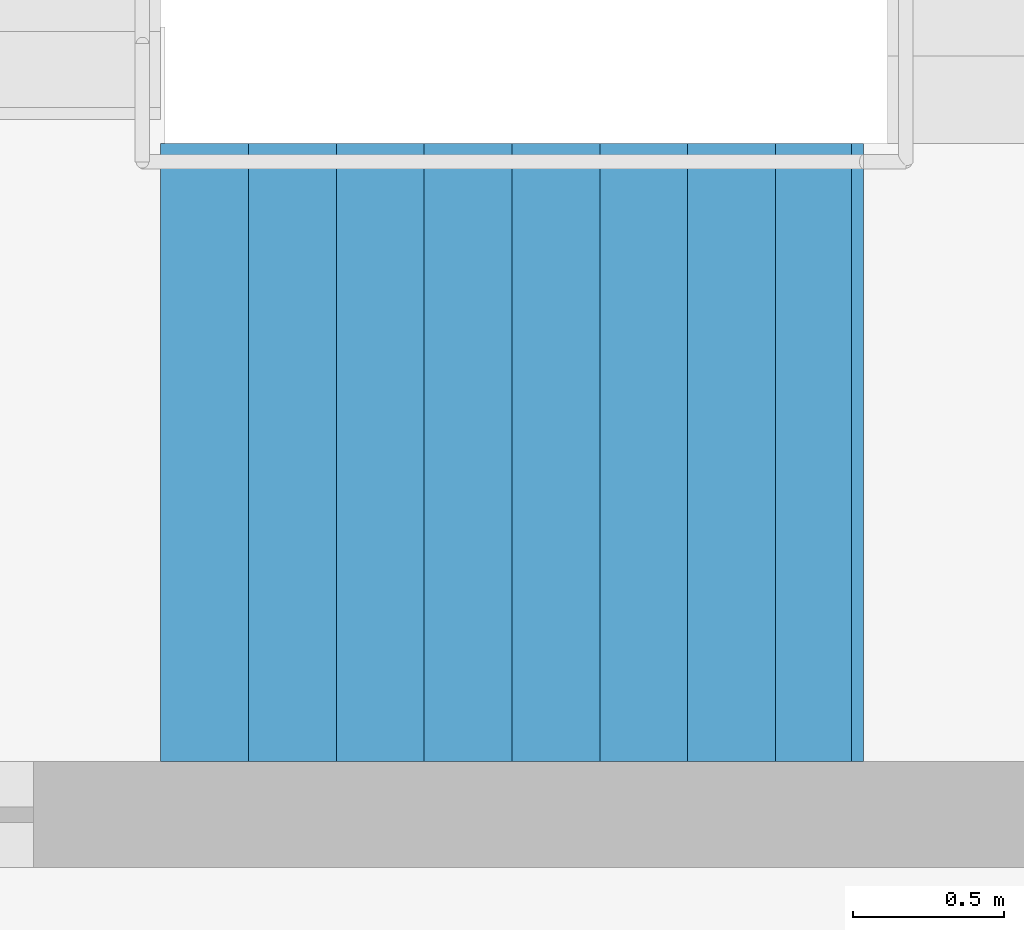
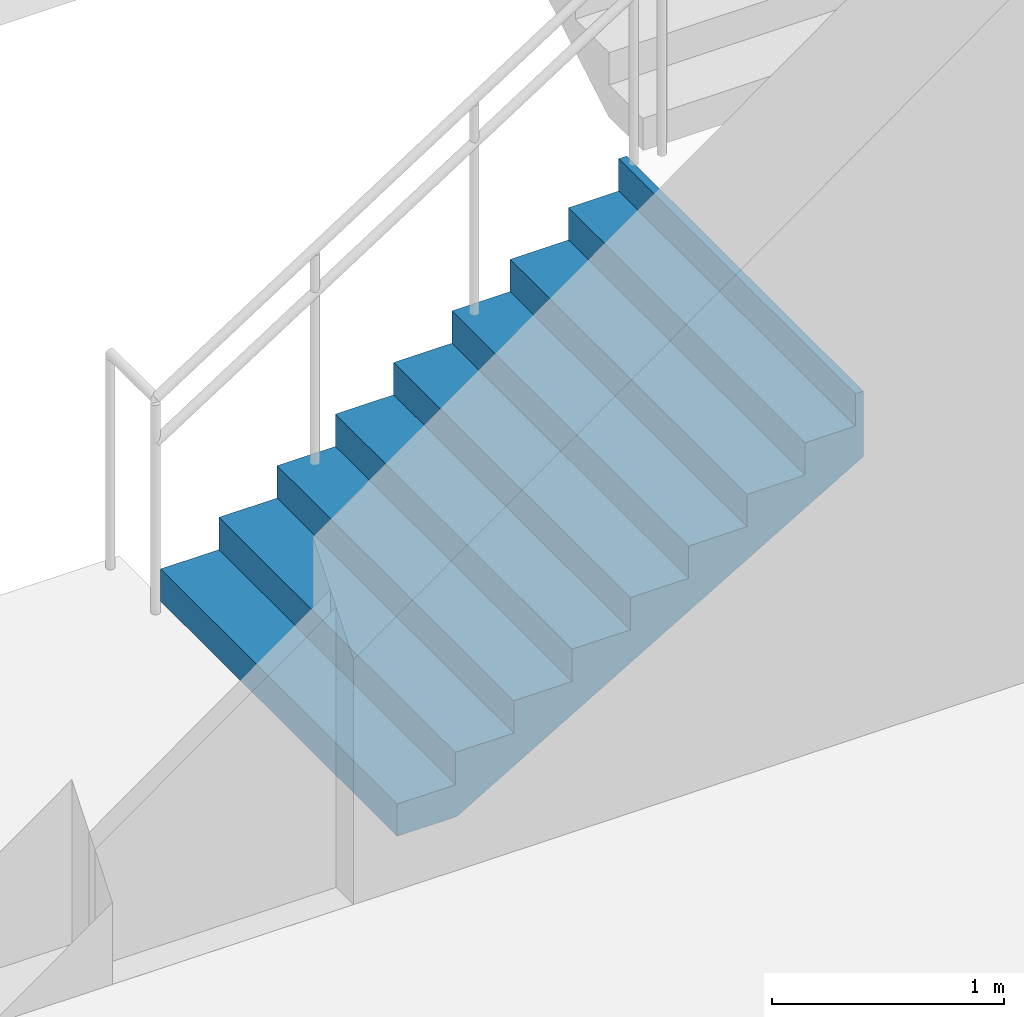
# One storey, part 36 of 46: 1 stair flight, 1 element without a shape of its own.
"""IFC4 building model written with IfcOpenShell, lengths in metres."""

from ifc_helpers import new_model, si_unit, direction, frame, origin, place, context, subcontext, project, spatial, triangles, material, type_object, element, aggregate, save


model = new_model("IFC4")

# Units and contexts
model_context = context("Model", 3, precision=1e-05, world=origin(), true_north=direction((0.0, 1.0)))
body_context = subcontext(model_context, "Body", "Model", "MODEL_VIEW")
ifc_project = project(units=[si_unit("LENGTHUNIT", "METRE"), si_unit("AREAUNIT", "SQUARE_METRE"), si_unit("VOLUMEUNIT", "CUBIC_METRE"), si_unit("PLANEANGLEUNIT", "RADIAN"), si_unit("MASSUNIT", "GRAM", prefix="KILO")], contexts=[model_context])

# Site, building, storey
site_placement = place(None, origin())
site = spatial("IfcSite", under=ifc_project, at=site_placement, CompositionType="ELEMENT")
building_placement = place(site_placement, origin())
building = spatial("IfcBuilding", under=site, at=building_placement, Name="Sillaruma Civic Art Gallery", CompositionType="ELEMENT")
storey_placement = place(building_placement, frame((0.0, 0.0, 16.320068359375)))
storey = spatial("IfcBuildingStorey", under=building, at=storey_placement, Name="L03", CompositionType="ELEMENT", Elevation=16.320068359375)

# Stair, stair flight
ifc_material = material(Name="Concrete H35 (35 MPa)", Category="concrete")
stair_type = type_object("IfcStairType", Name="STR-4F-36", PredefinedType="USERDEFINED", material=ifc_material)
stair_placement = place(storey_placement, origin())
stair = element("IfcStair", 1, at=stair_placement, inside=storey, type_object=stair_type, Name="Protected Exit Stair ST-04 (East Bar) (L03)", ObjectType="THREE_RETURN_STAIR", PredefinedType="USERDEFINED")
stair_flight_type = type_object("IfcStairFlightType", Name="SFL-STR-9", PredefinedType="STRAIGHT", material=ifc_material)
stair_flight_placement = place(storey_placement, frame((100.89990234375, 52.22998046875, 0.0), z_axis=(0.0, 0.0, 1.0), x_axis=(1.0, 0.0, 0.0)))
stair_flight = element("IfcStairFlight", 2, at=stair_flight_placement, type_object=stair_flight_type, Name="ST-04 flight 1", NumberOfRisers=9, NumberOfTreads=8, PredefinedType="STRAIGHT", RiserHeight=0.17, TreadLength=0.29, context=body_context, shape_type="Tessellation", body=[
    triangles([(0.0, -1.02001953125, 0.0), (0.29, -1.02001953125, 0.0), (0.296482, -1.02001953125, 0.0), (0.58, -1.02001953125, 0.1662), (0.87, -1.02001953125, 0.3362), (1.16, -1.02001953125, 0.5062), (1.45, -1.02001953125, 0.6762), (1.74, -1.02001953125, 0.8462), (2.03, -1.02001953125, 1.0162), (2.280068, -1.02001953125, 1.162792), (2.320068, -1.02001953125, 1.18624), (2.320068, -1.02001953125, 1.53), (2.280068, -1.02001953125, 1.53), (2.280068, -1.02001953125, 1.36), (2.03, -1.02001953125, 1.36), (2.03, -1.02001953125, 1.19), (1.74, -1.02001953125, 1.19), (1.74, -1.02001953125, 1.02), (1.45, -1.02001953125, 1.02), (1.45, -1.02001953125, 0.85), (1.16, -1.02001953125, 0.85), (1.16, -1.02001953125, 0.68), (0.87, -1.02001953125, 0.68), (0.87, -1.02001953125, 0.51), (0.58, -1.02001953125, 0.51), (0.58, -1.02001953125, 0.34), (0.296482, -1.02001953125, 0.34), (0.29, -1.02001953125, 0.34), (0.29, -1.02001953125, 0.17), (0.0, -1.02001953125, 0.17), (0.0, -0.05, 0.0), (0.29, -0.05, 0.0), (0.296482, -0.05, 0.0), (0.58, -0.05, 0.1662), (0.87, -0.05, 0.3362), (1.16, -0.05, 0.5062), (1.45, -0.05, 0.6762), (1.74, -0.05, 0.8462), (2.03, -0.05, 1.0162), (2.280068, -0.05, 1.162792), (2.320068, -0.05, 1.18624), (2.320068, -0.05, 1.53), (2.280068, -0.05, 1.53), (2.280068, -0.05, 1.36), (2.03, -0.05, 1.36), (2.03, -0.05, 1.19), (1.74, -0.05, 1.19), (1.74, -0.05, 1.02), (1.45, -0.05, 1.02), (1.45, -0.05, 0.85), (1.16, -0.05, 0.85), (1.16, -0.05, 0.68), (0.87, -0.05, 0.68), (0.87, -0.05, 0.51), (0.58, -0.05, 0.51), (0.58, -0.05, 0.34), (0.296482, -0.05, 0.34), (0.29, -0.05, 0.34), (0.29, -0.05, 0.17), (0.0, -0.05, 0.17), (0.0, -0.0375, 0.0), (0.29, -0.0375, 0.0), (0.296482, -0.0375, 0.0), (0.58, -0.0375, 0.1662), (0.87, -0.0375, 0.3362), (1.16, -0.0375, 0.5062), (1.45, -0.0375, 0.6762), (1.74, -0.0375, 0.8462), (2.03, -0.0375, 1.0162), (2.280068, -0.0375, 1.162792), (2.320068, -0.0375, 1.18624), (2.320068, -0.0375, 1.53), (2.280068, -0.0375, 1.53), (2.280068, -0.0375, 1.36), (2.03, -0.0375, 1.36), (2.03, -0.0375, 1.19), (1.74, -0.0375, 1.19), (1.74, -0.0375, 1.02), (1.45, -0.0375, 1.02), (1.45, -0.0375, 0.85), (1.16, -0.0375, 0.85), (1.16, -0.0375, 0.68), (0.87, -0.0375, 0.68), (0.87, -0.0375, 0.51), (0.58, -0.0375, 0.51), (0.58, -0.0375, 0.34), (0.296482, -0.0375, 0.34), (0.29, -0.0375, 0.34), (0.29, -0.0375, 0.17), (0.0, -0.0375, 0.17), (0.0, -0.025, 0.0), (0.29, -0.025, 0.0), (0.296482, -0.025, 0.0), (0.58, -0.025, 0.1662), (0.87, -0.025, 0.3362), (1.16, -0.025, 0.5062), (1.45, -0.025, 0.6762), (1.74, -0.025, 0.8462), (2.03, -0.025, 1.0162), (2.280068, -0.025, 1.162792), (2.320068, -0.025, 1.18624), (2.320068, -0.025, 1.53), (2.280068, -0.025, 1.53), (2.280068, -0.025, 1.36), (2.03, -0.025, 1.36), (2.03, -0.025, 1.19), (1.74, -0.025, 1.19), (1.74, -0.025, 1.02), (1.45, -0.025, 1.02), (1.45, -0.025, 0.85), (1.16, -0.025, 0.85), (1.16, -0.025, 0.68), (0.87, -0.025, 0.68), (0.87, -0.025, 0.51), (0.58, -0.025, 0.51), (0.58, -0.025, 0.34), (0.296482, -0.025, 0.34), (0.29, -0.025, 0.34), (0.29, -0.025, 0.17), (0.0, -0.025, 0.17), (0.0, -0.0125, 0.0), (0.29, -0.0125, 0.0), (0.296482, -0.0125, 0.0), (0.58, -0.0125, 0.1662), (0.87, -0.0125, 0.3362), (1.16, -0.0125, 0.5062), (1.45, -0.0125, 0.6762), (1.74, -0.0125, 0.8462), (2.03, -0.0125, 1.0162), (2.280068, -0.0125, 1.162792), (2.320068, -0.0125, 1.18624), (2.320068, -0.0125, 1.53), (2.280068, -0.0125, 1.53), (2.280068, -0.0125, 1.36), (2.03, -0.0125, 1.36), (2.03, -0.0125, 1.19), (1.74, -0.0125, 1.19), (1.74, -0.0125, 1.02), (1.45, -0.0125, 1.02), (1.45, -0.0125, 0.85), (1.16, -0.0125, 0.85), (1.16, -0.0125, 0.68), (0.87, -0.0125, 0.68), (0.87, -0.0125, 0.51), (0.58, -0.0125, 0.51), (0.58, -0.0125, 0.34), (0.296482, -0.0125, 0.34), (0.29, -0.0125, 0.34), (0.29, -0.0125, 0.17), (0.0, -0.0125, 0.17), (0.0, 0.0, 0.0), (0.29, 0.0, 0.0), (0.296482, 0.0, 0.0), (0.58, 0.0, 0.1662), (0.87, 0.0, 0.3362), (1.16, 0.0, 0.5062), (1.45, 0.0, 0.6762), (1.74, 0.0, 0.8462), (2.03, 0.0, 1.0162), (2.280068, 0.0, 1.162792), (2.320068, 0.0, 1.18624), (2.320068, 0.0, 1.53), (2.280068, 0.0, 1.53), (2.280068, 0.0, 1.36), (2.03, 0.0, 1.36), (2.03, 0.0, 1.19), (1.74, 0.0, 1.19), (1.74, 0.0, 1.02), (1.45, 0.0, 1.02), (1.45, 0.0, 0.85), (1.16, 0.0, 0.85), (1.16, 0.0, 0.68), (0.87, 0.0, 0.68), (0.87, 0.0, 0.51), (0.58, 0.0, 0.51), (0.58, 0.0, 0.34), (0.296482, 0.0, 0.34), (0.29, 0.0, 0.34), (0.29, 0.0, 0.17), (0.0, 0.0, 0.17), (0.0, 0.0125, 0.0), (0.29, 0.0125, 0.0), (0.296482, 0.0125, 0.0), (0.58, 0.0125, 0.1662), (0.87, 0.0125, 0.3362), (1.16, 0.0125, 0.5062), (1.45, 0.0125, 0.6762), (1.74, 0.0125, 0.8462), (2.03, 0.0125, 1.0162), (2.280068, 0.0125, 1.162792), (2.320068, 0.0125, 1.18624), (2.320068, 0.0125, 1.53), (2.280068, 0.0125, 1.53), (2.280068, 0.0125, 1.36), (2.03, 0.0125, 1.36), (2.03, 0.0125, 1.19), (1.74, 0.0125, 1.19), (1.74, 0.0125, 1.02), (1.45, 0.0125, 1.02), (1.45, 0.0125, 0.85), (1.16, 0.0125, 0.85), (1.16, 0.0125, 0.68), (0.87, 0.0125, 0.68), (0.87, 0.0125, 0.51), (0.58, 0.0125, 0.51), (0.58, 0.0125, 0.34), (0.296482, 0.0125, 0.34), (0.29, 0.0125, 0.34), (0.29, 0.0125, 0.17), (0.0, 0.0125, 0.17), (0.0, 0.025, 0.0), (0.29, 0.025, 0.0), (0.296482, 0.025, 0.0), (0.58, 0.025, 0.1662), (0.87, 0.025, 0.3362), (1.16, 0.025, 0.5062), (1.45, 0.025, 0.6762), (1.74, 0.025, 0.8462), (2.03, 0.025, 1.0162), (2.280068, 0.025, 1.162792), (2.320068, 0.025, 1.18624), (2.320068, 0.025, 1.53), (2.280068, 0.025, 1.53), (2.280068, 0.025, 1.36), (2.03, 0.025, 1.36), (2.03, 0.025, 1.19), (1.74, 0.025, 1.19), (1.74, 0.025, 1.02), (1.45, 0.025, 1.02), (1.45, 0.025, 0.85), (1.16, 0.025, 0.85), (1.16, 0.025, 0.68), (0.87, 0.025, 0.68), (0.87, 0.025, 0.51), (0.58, 0.025, 0.51), (0.58, 0.025, 0.34), (0.296482, 0.025, 0.34), (0.29, 0.025, 0.34), (0.29, 0.025, 0.17), (0.0, 0.025, 0.17), (0.0, 0.0375, 0.0), (0.29, 0.0375, 0.0), (0.296482, 0.0375, 0.0), (0.58, 0.0375, 0.1662), (0.87, 0.0375, 0.3362), (1.16, 0.0375, 0.5062), (1.45, 0.0375, 0.6762), (1.74, 0.0375, 0.8462), (2.03, 0.0375, 1.0162), (2.280068, 0.0375, 1.162792), (2.320068, 0.0375, 1.18624), (2.320068, 0.0375, 1.53), (2.280068, 0.0375, 1.53), (2.280068, 0.0375, 1.36), (2.03, 0.0375, 1.36), (2.03, 0.0375, 1.19), (1.74, 0.0375, 1.19), (1.74, 0.0375, 1.02), (1.45, 0.0375, 1.02), (1.45, 0.0375, 0.85), (1.16, 0.0375, 0.85), (1.16, 0.0375, 0.68), (0.87, 0.0375, 0.68), (0.87, 0.0375, 0.51), (0.58, 0.0375, 0.51), (0.58, 0.0375, 0.34), (0.296482, 0.0375, 0.34), (0.29, 0.0375, 0.34), (0.29, 0.0375, 0.17), (0.0, 0.0375, 0.17), (0.0, 0.05, 0.0), (0.29, 0.05, 0.0), (0.296482, 0.05, 0.0), (0.58, 0.05, 0.1662), (0.87, 0.05, 0.3362), (1.16, 0.05, 0.5062), (1.45, 0.05, 0.6762), (1.74, 0.05, 0.8462), (2.03, 0.05, 1.0162), (2.280068, 0.05, 1.162792), (2.320068, 0.05, 1.18624), (2.320068, 0.05, 1.53), (2.280068, 0.05, 1.53), (2.280068, 0.05, 1.36), (2.03, 0.05, 1.36), (2.03, 0.05, 1.19), (1.74, 0.05, 1.19), (1.74, 0.05, 1.02), (1.45, 0.05, 1.02), (1.45, 0.05, 0.85), (1.16, 0.05, 0.85), (1.16, 0.05, 0.68), (0.87, 0.05, 0.68), (0.87, 0.05, 0.51), (0.58, 0.05, 0.51), (0.58, 0.05, 0.34), (0.296482, 0.05, 0.34), (0.29, 0.05, 0.34), (0.29, 0.05, 0.17), (0.0, 0.05, 0.17), (0.0, 1.02001953125, 0.0), (0.29, 1.02001953125, 0.0), (0.296482, 1.02001953125, 0.0), (0.58, 1.02001953125, 0.1662), (0.87, 1.02001953125, 0.3362), (1.16, 1.02001953125, 0.5062), (1.45, 1.02001953125, 0.6762), (1.74, 1.02001953125, 0.8462), (2.03, 1.02001953125, 1.0162), (2.280068, 1.02001953125, 1.162792), (2.320068, 1.02001953125, 1.18624), (2.320068, 1.02001953125, 1.53), (2.280068, 1.02001953125, 1.53), (2.280068, 1.02001953125, 1.36), (2.03, 1.02001953125, 1.36), (2.03, 1.02001953125, 1.19), (1.74, 1.02001953125, 1.19), (1.74, 1.02001953125, 1.02), (1.45, 1.02001953125, 1.02), (1.45, 1.02001953125, 0.85), (1.16, 1.02001953125, 0.85), (1.16, 1.02001953125, 0.68), (0.87, 1.02001953125, 0.68), (0.87, 1.02001953125, 0.51), (0.58, 1.02001953125, 0.51), (0.58, 1.02001953125, 0.34), (0.296482, 1.02001953125, 0.34), (0.29, 1.02001953125, 0.34), (0.29, 1.02001953125, 0.17), (0.0, 1.02001953125, 0.17)], [[1, 2, 29], [1, 29, 30], [2, 3, 27], [2, 27, 29], [29, 27, 28], [3, 4, 26], [3, 26, 27], [4, 5, 24], [4, 24, 26], [26, 24, 25], [5, 6, 22], [5, 22, 24], [24, 22, 23], [6, 7, 20], [6, 20, 22], [22, 20, 21], [7, 8, 18], [7, 18, 20], [20, 18, 19], [8, 9, 16], [8, 16, 18], [18, 16, 17], [9, 10, 14], [9, 14, 16], [16, 14, 15], [10, 11, 12], [10, 12, 14], [14, 12, 13], [329, 302, 301], [330, 329, 301], [327, 303, 302], [329, 327, 302], [328, 327, 329], [326, 304, 303], [327, 326, 303], [324, 305, 304], [326, 324, 304], [325, 324, 326], [322, 306, 305], [324, 322, 305], [323, 322, 324], [320, 307, 306], [322, 320, 306], [321, 320, 322], [318, 308, 307], [320, 318, 307], [319, 318, 320], [316, 309, 308], [318, 316, 308], [317, 316, 318], [314, 310, 309], [316, 314, 309], [315, 314, 316], [312, 311, 310], [314, 312, 310], [313, 312, 314], [2, 1, 31], [2, 31, 32], [3, 2, 32], [3, 32, 33], [4, 3, 33], [4, 33, 34], [5, 4, 34], [5, 34, 35], [6, 5, 35], [6, 35, 36], [7, 6, 36], [7, 36, 37], [8, 7, 37], [8, 37, 38], [9, 8, 38], [9, 38, 39], [10, 9, 39], [10, 39, 40], [11, 10, 40], [11, 40, 41], [12, 11, 41], [12, 41, 42], [13, 12, 42], [13, 42, 43], [14, 13, 43], [14, 43, 44], [15, 14, 44], [15, 44, 45], [16, 15, 45], [16, 45, 46], [17, 16, 46], [17, 46, 47], [18, 17, 47], [18, 47, 48], [19, 18, 48], [19, 48, 49], [20, 19, 49], [20, 49, 50], [21, 20, 50], [21, 50, 51], [22, 21, 51], [22, 51, 52], [23, 22, 52], [23, 52, 53], [24, 23, 53], [24, 53, 54], [25, 24, 54], [25, 54, 55], [26, 25, 55], [26, 55, 56], [27, 26, 56], [27, 56, 57], [28, 27, 57], [28, 57, 58], [29, 28, 58], [29, 58, 59], [30, 29, 59], [30, 59, 60], [1, 30, 60], [1, 60, 31], [32, 31, 61], [32, 61, 62], [33, 32, 62], [33, 62, 63], [34, 33, 63], [34, 63, 64], [35, 34, 64], [35, 64, 65], [36, 35, 65], [36, 65, 66], [37, 36, 66], [37, 66, 67], [38, 37, 67], [38, 67, 68], [39, 38, 68], [39, 68, 69], [40, 39, 69], [40, 69, 70], [41, 40, 70], [41, 70, 71], [42, 41, 71], [42, 71, 72], [43, 42, 72], [43, 72, 73], [44, 43, 73], [44, 73, 74], [45, 44, 74], [45, 74, 75], [46, 45, 75], [46, 75, 76], [47, 46, 76], [47, 76, 77], [48, 47, 77], [48, 77, 78], [49, 48, 78], [49, 78, 79], [50, 49, 79], [50, 79, 80], [51, 50, 80], [51, 80, 81], [52, 51, 81], [52, 81, 82], [53, 52, 82], [53, 82, 83], [54, 53, 83], [54, 83, 84], [55, 54, 84], [55, 84, 85], [56, 55, 85], [56, 85, 86], [57, 56, 86], [57, 86, 87], [58, 57, 87], [58, 87, 88], [59, 58, 88], [59, 88, 89], [60, 59, 89], [60, 89, 90], [31, 60, 90], [31, 90, 61], [62, 61, 91], [62, 91, 92], [63, 62, 92], [63, 92, 93], [64, 63, 93], [64, 93, 94], [65, 64, 94], [65, 94, 95], [66, 65, 95], [66, 95, 96], [67, 66, 96], [67, 96, 97], [68, 67, 97], [68, 97, 98], [69, 68, 98], [69, 98, 99], [70, 69, 99], [70, 99, 100], [71, 70, 100], [71, 100, 101], [72, 71, 101], [72, 101, 102], [73, 72, 102], [73, 102, 103], [74, 73, 103], [74, 103, 104], [75, 74, 104], [75, 104, 105], [76, 75, 105], [76, 105, 106], [77, 76, 106], [77, 106, 107], [78, 77, 107], [78, 107, 108], [79, 78, 108], [79, 108, 109], [80, 79, 109], [80, 109, 110], [81, 80, 110], [81, 110, 111], [82, 81, 111], [82, 111, 112], [83, 82, 112], [83, 112, 113], [84, 83, 113], [84, 113, 114], [85, 84, 114], [85, 114, 115], [86, 85, 115], [86, 115, 116], [87, 86, 116], [87, 116, 117], [88, 87, 117], [88, 117, 118], [89, 88, 118], [89, 118, 119], [90, 89, 119], [90, 119, 120], [61, 90, 120], [61, 120, 91], [92, 91, 121], [92, 121, 122], [93, 92, 122], [93, 122, 123], [94, 93, 123], [94, 123, 124], [95, 94, 124], [95, 124, 125], [96, 95, 125], [96, 125, 126], [97, 96, 126], [97, 126, 127], [98, 97, 127], [98, 127, 128], [99, 98, 128], [99, 128, 129], [100, 99, 129], [100, 129, 130], [101, 100, 130], [101, 130, 131], [102, 101, 131], [102, 131, 132], [103, 102, 132], [103, 132, 133], [104, 103, 133], [104, 133, 134], [105, 104, 134], [105, 134, 135], [106, 105, 135], [106, 135, 136], [107, 106, 136], [107, 136, 137], [108, 107, 137], [108, 137, 138], [109, 108, 138], [109, 138, 139], [110, 109, 139], [110, 139, 140], [111, 110, 140], [111, 140, 141], [112, 111, 141], [112, 141, 142], [113, 112, 142], [113, 142, 143], [114, 113, 143], [114, 143, 144], [115, 114, 144], [115, 144, 145], [116, 115, 145], [116, 145, 146], [117, 116, 146], [117, 146, 147], [118, 117, 147], [118, 147, 148], [119, 118, 148], [119, 148, 149], [120, 119, 149], [120, 149, 150], [91, 120, 150], [91, 150, 121], [122, 121, 151], [122, 151, 152], [123, 122, 152], [123, 152, 153], [124, 123, 153], [124, 153, 154], [125, 124, 154], [125, 154, 155], [126, 125, 155], [126, 155, 156], [127, 126, 156], [127, 156, 157], [128, 127, 157], [128, 157, 158], [129, 128, 158], [129, 158, 159], [130, 129, 159], [130, 159, 160], [131, 130, 160], [131, 160, 161], [132, 131, 161], [132, 161, 162], [133, 132, 162], [133, 162, 163], [134, 133, 163], [134, 163, 164], [135, 134, 164], [135, 164, 165], [136, 135, 165], [136, 165, 166], [137, 136, 166], [137, 166, 167], [138, 137, 167], [138, 167, 168], [139, 138, 168], [139, 168, 169], [140, 139, 169], [140, 169, 170], [141, 140, 170], [141, 170, 171], [142, 141, 171], [142, 171, 172], [143, 142, 172], [143, 172, 173], [144, 143, 173], [144, 173, 174], [145, 144, 174], [145, 174, 175], [146, 145, 175], [146, 175, 176], [147, 146, 176], [147, 176, 177], [148, 147, 177], [148, 177, 178], [149, 148, 178], [149, 178, 179], [150, 149, 179], [150, 179, 180], [121, 150, 180], [121, 180, 151], [152, 151, 181], [152, 181, 182], [153, 152, 182], [153, 182, 183], [154, 153, 183], [154, 183, 184], [155, 154, 184], [155, 184, 185], [156, 155, 185], [156, 185, 186], [157, 156, 186], [157, 186, 187], [158, 157, 187], [158, 187, 188], [159, 158, 188], [159, 188, 189], [160, 159, 189], [160, 189, 190], [161, 160, 190], [161, 190, 191], [162, 161, 191], [162, 191, 192], [163, 162, 192], [163, 192, 193], [164, 163, 193], [164, 193, 194], [165, 164, 194], [165, 194, 195], [166, 165, 195], [166, 195, 196], [167, 166, 196], [167, 196, 197], [168, 167, 197], [168, 197, 198], [169, 168, 198], [169, 198, 199], [170, 169, 199], [170, 199, 200], [171, 170, 200], [171, 200, 201], [172, 171, 201], [172, 201, 202], [173, 172, 202], [173, 202, 203], [174, 173, 203], [174, 203, 204], [175, 174, 204], [175, 204, 205], [176, 175, 205], [176, 205, 206], [177, 176, 206], [177, 206, 207], [178, 177, 207], [178, 207, 208], [179, 178, 208], [179, 208, 209], [180, 179, 209], [180, 209, 210], [151, 180, 210], [151, 210, 181], [182, 181, 211], [182, 211, 212], [183, 182, 212], [183, 212, 213], [184, 183, 213], [184, 213, 214], [185, 184, 214], [185, 214, 215], [186, 185, 215], [186, 215, 216], [187, 186, 216], [187, 216, 217], [188, 187, 217], [188, 217, 218], [189, 188, 218], [189, 218, 219], [190, 189, 219], [190, 219, 220], [191, 190, 220], [191, 220, 221], [192, 191, 221], [192, 221, 222], [193, 192, 222], [193, 222, 223], [194, 193, 223], [194, 223, 224], [195, 194, 224], [195, 224, 225], [196, 195, 225], [196, 225, 226], [197, 196, 226], [197, 226, 227], [198, 197, 227], [198, 227, 228], [199, 198, 228], [199, 228, 229], [200, 199, 229], [200, 229, 230], [201, 200, 230], [201, 230, 231], [202, 201, 231], [202, 231, 232], [203, 202, 232], [203, 232, 233], [204, 203, 233], [204, 233, 234], [205, 204, 234], [205, 234, 235], [206, 205, 235], [206, 235, 236], [207, 206, 236], [207, 236, 237], [208, 207, 237], [208, 237, 238], [209, 208, 238], [209, 238, 239], [210, 209, 239], [210, 239, 240], [181, 210, 240], [181, 240, 211], [212, 211, 241], [212, 241, 242], [213, 212, 242], [213, 242, 243], [214, 213, 243], [214, 243, 244], [215, 214, 244], [215, 244, 245], [216, 215, 245], [216, 245, 246], [217, 216, 246], [217, 246, 247], [218, 217, 247], [218, 247, 248], [219, 218, 248], [219, 248, 249], [220, 219, 249], [220, 249, 250], [221, 220, 250], [221, 250, 251], [222, 221, 251], [222, 251, 252], [223, 222, 252], [223, 252, 253], [224, 223, 253], [224, 253, 254], [225, 224, 254], [225, 254, 255], [226, 225, 255], [226, 255, 256], [227, 226, 256], [227, 256, 257], [228, 227, 257], [228, 257, 258], [229, 228, 258], [229, 258, 259], [230, 229, 259], [230, 259, 260], [231, 230, 260], [231, 260, 261], [232, 231, 261], [232, 261, 262], [233, 232, 262], [233, 262, 263], [234, 233, 263], [234, 263, 264], [235, 234, 264], [235, 264, 265], [236, 235, 265], [236, 265, 266], [237, 236, 266], [237, 266, 267], [238, 237, 267], [238, 267, 268], [239, 238, 268], [239, 268, 269], [240, 239, 269], [240, 269, 270], [211, 240, 270], [211, 270, 241], [242, 241, 271], [242, 271, 272], [243, 242, 272], [243, 272, 273], [244, 243, 273], [244, 273, 274], [245, 244, 274], [245, 274, 275], [246, 245, 275], [246, 275, 276], [247, 246, 276], [247, 276, 277], [248, 247, 277], [248, 277, 278], [249, 248, 278], [249, 278, 279], [250, 249, 279], [250, 279, 280], [251, 250, 280], [251, 280, 281], [252, 251, 281], [252, 281, 282], [253, 252, 282], [253, 282, 283], [254, 253, 283], [254, 283, 284], [255, 254, 284], [255, 284, 285], [256, 255, 285], [256, 285, 286], [257, 256, 286], [257, 286, 287], [258, 257, 287], [258, 287, 288], [259, 258, 288], [259, 288, 289], [260, 259, 289], [260, 289, 290], [261, 260, 290], [261, 290, 291], [262, 261, 291], [262, 291, 292], [263, 262, 292], [263, 292, 293], [264, 263, 293], [264, 293, 294], [265, 264, 294], [265, 294, 295], [266, 265, 295], [266, 295, 296], [267, 266, 296], [267, 296, 297], [268, 267, 297], [268, 297, 298], [269, 268, 298], [269, 298, 299], [270, 269, 299], [270, 299, 300], [241, 270, 300], [241, 300, 271], [272, 271, 301], [272, 301, 302], [273, 272, 302], [273, 302, 303], [274, 273, 303], [274, 303, 304], [275, 274, 304], [275, 304, 305], [276, 275, 305], [276, 305, 306], [277, 276, 306], [277, 306, 307], [278, 277, 307], [278, 307, 308], [279, 278, 308], [279, 308, 309], [280, 279, 309], [280, 309, 310], [281, 280, 310], [281, 310, 311], [282, 281, 311], [282, 311, 312], [283, 282, 312], [283, 312, 313], [284, 283, 313], [284, 313, 314], [285, 284, 314], [285, 314, 315], [286, 285, 315], [286, 315, 316], [287, 286, 316], [287, 316, 317], [288, 287, 317], [288, 317, 318], [289, 288, 318], [289, 318, 319], [290, 289, 319], [290, 319, 320], [291, 290, 320], [291, 320, 321], [292, 291, 321], [292, 321, 322], [293, 292, 322], [293, 322, 323], [294, 293, 323], [294, 323, 324], [295, 294, 324], [295, 324, 325], [296, 295, 325], [296, 325, 326], [297, 296, 326], [297, 326, 327], [298, 297, 327], [298, 327, 328], [299, 298, 328], [299, 328, 329], [300, 299, 329], [300, 329, 330], [271, 300, 330], [271, 330, 301]], closed=True),
])
aggregate(stair, [stair_flight])

save(model, "model.ifc")
